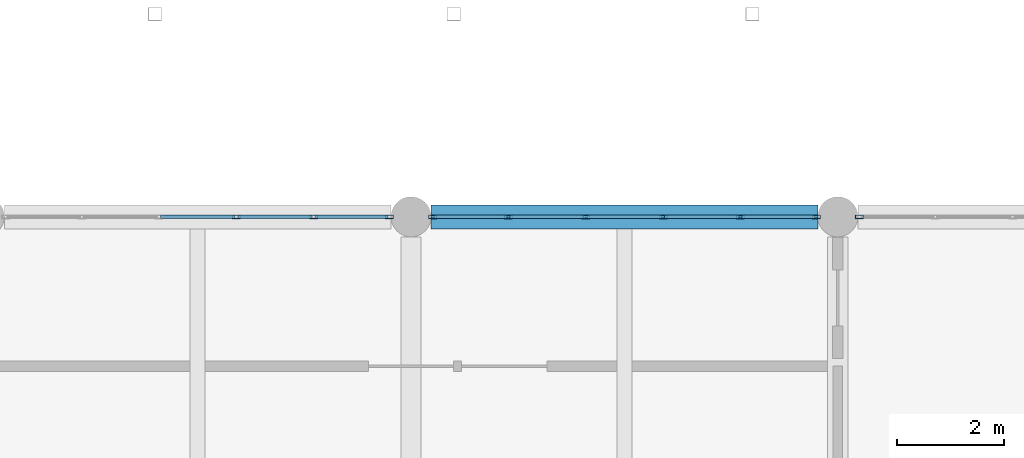
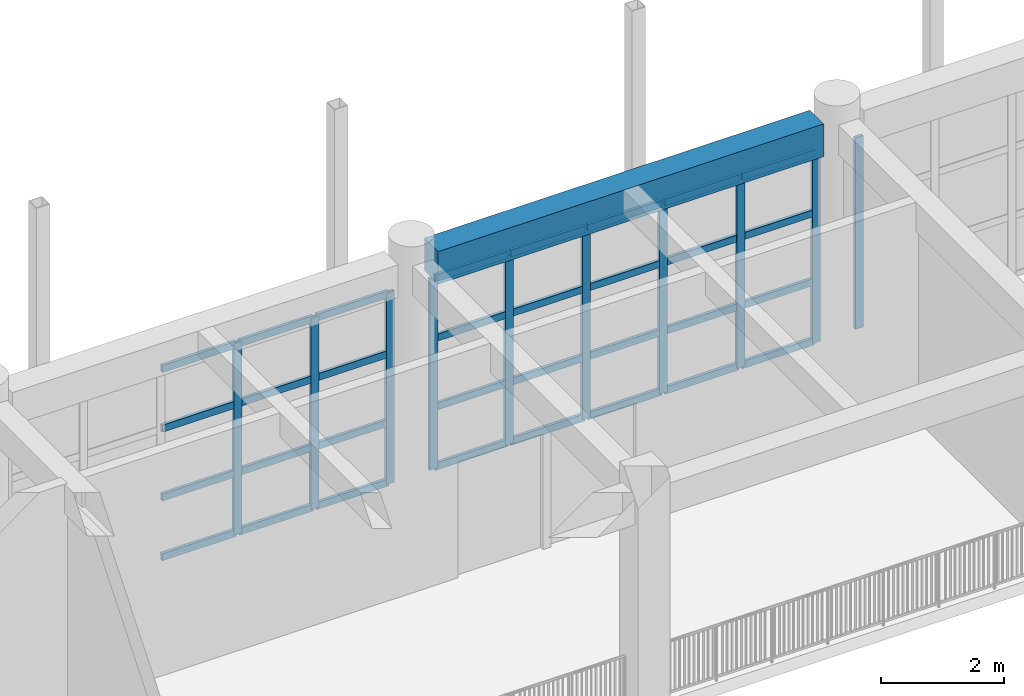
# One storey, part 50 of 101: 42 members, 1 beam, 3 elements without a shape of their own.
"""IFC4 building model written with IfcOpenShell, lengths in metres."""

from ifc_helpers import new_model, si_unit, direction, frame, origin, origin_2d, place, context, subcontext, project, spatial, rectangle, hollow_rectangle, extrude, material, material_profile, profile_set, type_object, element, aggregate, save


model = new_model("IFC4")

# Units and contexts
model_context = context("Model", 3, precision=1e-05, world=origin(), true_north=direction((0.0, 1.0)))
body_context = subcontext(model_context, "Body", "Model", "MODEL_VIEW")
ifc_project = project(units=[si_unit("LENGTHUNIT", "METRE"), si_unit("AREAUNIT", "SQUARE_METRE"), si_unit("VOLUMEUNIT", "CUBIC_METRE"), si_unit("PLANEANGLEUNIT", "RADIAN"), si_unit("MASSUNIT", "GRAM", prefix="KILO")], contexts=[model_context])

# Site, building, storey
site_placement = place(None, origin())
site = spatial("IfcSite", under=ifc_project, at=site_placement, CompositionType="ELEMENT")
building_placement = place(site_placement, origin())
building = spatial("IfcBuilding", under=site, at=building_placement, Name="Zantavel Square City Hall", CompositionType="ELEMENT")
storey_placement = place(building_placement, frame((0.0, 0.0, 5.39990234375)))
storey = spatial("IfcBuildingStorey", under=building, at=storey_placement, Name="L02", CompositionType="ELEMENT", Elevation=5.39990234375)

# Curtain wall, members
ifc_material_1 = material(Name="Anodised aluminium 6063-T6", Category="aluminium")
curtain_wall_type = type_object("IfcCurtainWallType", Name="Curtain Wall CRT 7250x3800", PredefinedType="USERDEFINED", material=ifc_material_1)
curtain_wall_1_placement = place(storey_placement, origin())
curtain_wall_1 = element("IfcCurtainWall", 1, at=curtain_wall_1_placement, inside=storey, type_object=curtain_wall_type, Name="L02 Glazed Curtain Wall CW-L02-052", ObjectType="GLAZED CURTAIN WALL", PredefinedType="USERDEFINED")
ifc_material_profile_1 = material_profile(ifc_material_1, hollow_rectangle(XDim=0.06494140625, YDim=0.14990234375, WallThickness=0.00390625, at=origin_2d()), Name="ALU 65x150x4")
ifc_profile_set_1 = profile_set([ifc_material_profile_1], Name="Anodised aluminium 6063-T6")
member_type_1 = type_object("IfcMemberType", Name="CW Mullion ALU 65x150x4", PredefinedType="MULLION", material=ifc_profile_set_1)
member_1_placement = place(storey_placement, frame((132.72509765625, 38.0, 0.0), z_axis=(0.0, 0.0, 1.0), x_axis=(0.0, 1.0, 0.0)))
member_1 = element("IfcMember", 2, at=member_1_placement, type_object=member_type_1, Name="CW-052 mullion 4", PredefinedType="MULLION", context=body_context, shape_type="SweptSolid", body=[
    extrude(hollow_rectangle(XDim=0.06494140625, YDim=0.14990234375, WallThickness=0.00390625, at=origin_2d()), origin(), (0.0, 0.0, 1.0), 3.800048828125),
])
member_2_placement = place(storey_placement, frame((134.175048828125, 38.0, 0.0), z_axis=(0.0, 0.0, 1.0), x_axis=(0.0, 1.0, 0.0)))
member_2 = element("IfcMember", 3, at=member_2_placement, type_object=member_type_1, Name="CW-052 mullion 5", PredefinedType="MULLION", context=body_context, shape_type="SweptSolid", body=[
    extrude(hollow_rectangle(XDim=0.06494140625, YDim=0.14990234375, WallThickness=0.00390625, at=origin_2d()), origin(), (0.0, 0.0, 1.0), 3.800048828125),
])
member_3_placement = place(storey_placement, frame((135.594970703125, 38.0, 0.0), z_axis=(0.0, 0.0, 1.0), x_axis=(0.0, 1.0, 0.0)))
member_3 = element("IfcMember", 4, at=member_3_placement, type_object=member_type_1, Name="CW-052 mullion 6", PredefinedType="MULLION", context=body_context, shape_type="SweptSolid", body=[
    extrude(hollow_rectangle(XDim=0.06494140625, YDim=0.14990234375, WallThickness=0.00390625, at=origin_2d()), origin(), (0.0, 0.0, 1.0), 3.800048828125),
])

curtain_wall_2_placement = place(storey_placement, origin())
curtain_wall_2 = element("IfcCurtainWall", 5, at=curtain_wall_2_placement, inside=storey, type_object=curtain_wall_type, Name="L02 Glazed Curtain Wall CW-L02-053", ObjectType="GLAZED CURTAIN WALL", PredefinedType="USERDEFINED")
member_4_placement = place(storey_placement, frame((136.405029296875, 38.0, 0.0), z_axis=(0.0, 0.0, 1.0), x_axis=(0.0, 1.0, 0.0)))
member_4 = element("IfcMember", 6, at=member_4_placement, type_object=member_type_1, Name="CW-053 mullion 1", PredefinedType="MULLION", context=body_context, shape_type="SweptSolid", body=[
    extrude(hollow_rectangle(XDim=0.06494140625, YDim=0.14990234375, WallThickness=0.00390625, at=origin_2d()), origin(), (0.0, 0.0, 1.0), 3.800048828125),
])
member_5_placement = place(storey_placement, frame((137.824951171875, 38.0, 0.0), z_axis=(0.0, 0.0, 1.0), x_axis=(0.0, 1.0, 0.0)))
member_5 = element("IfcMember", 7, at=member_5_placement, type_object=member_type_1, Name="CW-053 mullion 2", PredefinedType="MULLION", context=body_context, shape_type="SweptSolid", body=[
    extrude(hollow_rectangle(XDim=0.06494140625, YDim=0.14990234375, WallThickness=0.00390625, at=origin_2d()), origin(), (0.0, 0.0, 1.0), 3.800048828125),
])
member_6_placement = place(storey_placement, frame((139.27490234375, 38.0, 0.0), z_axis=(0.0, 0.0, 1.0), x_axis=(0.0, 1.0, 0.0)))
member_6 = element("IfcMember", 8, at=member_6_placement, type_object=member_type_1, Name="CW-053 mullion 3", PredefinedType="MULLION", context=body_context, shape_type="SweptSolid", body=[
    extrude(hollow_rectangle(XDim=0.06494140625, YDim=0.14990234375, WallThickness=0.00390625, at=origin_2d()), origin(), (0.0, 0.0, 1.0), 3.800048828125),
])
member_7_placement = place(storey_placement, frame((140.72509765625, 38.0, 0.0), z_axis=(0.0, 0.0, 1.0), x_axis=(0.0, 1.0, 0.0)))
member_7 = element("IfcMember", 9, at=member_7_placement, type_object=member_type_1, Name="CW-053 mullion 4", PredefinedType="MULLION", context=body_context, shape_type="SweptSolid", body=[
    extrude(hollow_rectangle(XDim=0.06494140625, YDim=0.14990234375, WallThickness=0.00390625, at=origin_2d()), origin(), (0.0, 0.0, 1.0), 3.800048828125),
])
member_8_placement = place(storey_placement, frame((142.175048828125, 38.0, 0.0), z_axis=(0.0, 0.0, 1.0), x_axis=(0.0, 1.0, 0.0)))
member_8 = element("IfcMember", 10, at=member_8_placement, type_object=member_type_1, Name="CW-053 mullion 5", PredefinedType="MULLION", context=body_context, shape_type="SweptSolid", body=[
    extrude(hollow_rectangle(XDim=0.06494140625, YDim=0.14990234375, WallThickness=0.00390625, at=origin_2d()), origin(), (0.0, 0.0, 1.0), 3.800048828125),
])
member_9_placement = place(storey_placement, frame((143.594970703125, 38.0, 0.0), z_axis=(0.0, 0.0, 1.0), x_axis=(0.0, 1.0, 0.0)))
member_9 = element("IfcMember", 11, at=member_9_placement, type_object=member_type_1, Name="CW-053 mullion 6", PredefinedType="MULLION", context=body_context, shape_type="SweptSolid", body=[
    extrude(hollow_rectangle(XDim=0.06494140625, YDim=0.14990234375, WallThickness=0.00390625, at=origin_2d()), origin(), (0.0, 0.0, 1.0), 3.800048828125),
])

# Curtain wall, member
curtain_wall_3_placement = place(storey_placement, origin())
curtain_wall_3 = element("IfcCurtainWall", 12, at=curtain_wall_3_placement, inside=storey, type_object=curtain_wall_type, Name="L02 Glazed Curtain Wall CW-L02-054", ObjectType="GLAZED CURTAIN WALL", PredefinedType="USERDEFINED")
member_10_placement = place(storey_placement, frame((144.405029296875, 38.0, 0.0), z_axis=(0.0, 0.0, 1.0), x_axis=(0.0, 1.0, 0.0)))
member_10 = element("IfcMember", 13, at=member_10_placement, type_object=member_type_1, Name="CW-054 mullion 1", PredefinedType="MULLION", context=body_context, shape_type="SweptSolid", body=[
    extrude(hollow_rectangle(XDim=0.06494140625, YDim=0.14990234375, WallThickness=0.00390625, at=origin_2d()), origin(), (0.0, 0.0, 1.0), 3.800048828125),
])
aggregate(curtain_wall_3, [member_10])

# Member
ifc_material_profile_2 = material_profile(ifc_material_1, hollow_rectangle(XDim=0.06005859375, YDim=0.139892578125, WallThickness=0.00390625, at=origin_2d()), Name="ALU 60x140x4")
ifc_profile_set_2 = profile_set([ifc_material_profile_2], Name="Anodised aluminium 6063-T6")
member_type_2 = type_object("IfcMemberType", Name="CW Transom ALU 60x140x4", PredefinedType="USERDEFINED", material=ifc_profile_set_2)
member_11_placement = place(storey_placement, frame((131.304931640625, 38.0, 0.030029296875), z_axis=(1.0, 0.0, 0.0), x_axis=(0.0, 1.0, 0.0)))
member_11 = element("IfcMember", 14, at=member_11_placement, type_object=member_type_2, Name="CW-052 transom 3.1", ObjectType="TRANSOM", PredefinedType="USERDEFINED", context=body_context, shape_type="SweptSolid", body=[
    extrude(hollow_rectangle(XDim=0.06005859375, YDim=0.139892578125, WallThickness=0.00390625, at=origin_2d()), origin(), (0.0, 0.0, 1.0), 1.39013671875),
])

member_12_placement = place(storey_placement, frame((131.304931640625, 38.0, 1.216064453125), z_axis=(1.0, 0.0, 0.0), x_axis=(0.0, 1.0, 0.0)))
member_12 = element("IfcMember", 15, at=member_12_placement, type_object=member_type_2, Name="CW-052 transom 3.2", ObjectType="TRANSOM", PredefinedType="USERDEFINED", context=body_context, shape_type="SweptSolid", body=[
    extrude(hollow_rectangle(XDim=0.06005859375, YDim=0.139892578125, WallThickness=0.00390625, at=origin_2d()), origin(), (0.0, 0.0, 1.0), 1.39013671875),
])

member_13_placement = place(storey_placement, frame((131.304931640625, 38.0, 2.583984375), z_axis=(1.0, 0.0, 0.0), x_axis=(0.0, 1.0, 0.0)))
member_13 = element("IfcMember", 16, at=member_13_placement, type_object=member_type_2, Name="CW-052 transom 3.3", ObjectType="TRANSOM", PredefinedType="USERDEFINED", context=body_context, shape_type="SweptSolid", body=[
    extrude(hollow_rectangle(XDim=0.06005859375, YDim=0.139892578125, WallThickness=0.00390625, at=origin_2d()), origin(), (0.0, 0.0, 1.0), 1.39013671875),
])

member_14_placement = place(storey_placement, frame((131.304931640625, 38.0, 3.77001953125), z_axis=(1.0, 0.0, 0.0), x_axis=(0.0, 1.0, 0.0)))
member_14 = element("IfcMember", 17, at=member_14_placement, type_object=member_type_2, Name="CW-052 transom 3.4", ObjectType="TRANSOM", PredefinedType="USERDEFINED", context=body_context, shape_type="SweptSolid", body=[
    extrude(hollow_rectangle(XDim=0.06005859375, YDim=0.139892578125, WallThickness=0.00390625, at=origin_2d()), origin(), (0.0, 0.0, 1.0), 1.39013671875),
])

member_15_placement = place(storey_placement, frame((132.7548828125, 38.0, 0.030029296875), z_axis=(1.0, 0.0, 0.0), x_axis=(0.0, 1.0, 0.0)))
member_15 = element("IfcMember", 18, at=member_15_placement, type_object=member_type_2, Name="CW-052 transom 4.1", ObjectType="TRANSOM", PredefinedType="USERDEFINED", context=body_context, shape_type="SweptSolid", body=[
    extrude(hollow_rectangle(XDim=0.06005859375, YDim=0.139892578125, WallThickness=0.00390625, at=origin_2d()), origin(), (0.0, 0.0, 1.0), 1.39013671875),
])

member_16_placement = place(storey_placement, frame((132.7548828125, 38.0, 1.216064453125), z_axis=(1.0, 0.0, 0.0), x_axis=(0.0, 1.0, 0.0)))
member_16 = element("IfcMember", 19, at=member_16_placement, type_object=member_type_2, Name="CW-052 transom 4.2", ObjectType="TRANSOM", PredefinedType="USERDEFINED", context=body_context, shape_type="SweptSolid", body=[
    extrude(hollow_rectangle(XDim=0.06005859375, YDim=0.139892578125, WallThickness=0.00390625, at=origin_2d()), origin(), (0.0, 0.0, 1.0), 1.39013671875),
])

member_17_placement = place(storey_placement, frame((132.7548828125, 38.0, 2.583984375), z_axis=(1.0, 0.0, 0.0), x_axis=(0.0, 1.0, 0.0)))
member_17 = element("IfcMember", 20, at=member_17_placement, type_object=member_type_2, Name="CW-052 transom 4.3", ObjectType="TRANSOM", PredefinedType="USERDEFINED", context=body_context, shape_type="SweptSolid", body=[
    extrude(hollow_rectangle(XDim=0.06005859375, YDim=0.139892578125, WallThickness=0.00390625, at=origin_2d()), origin(), (0.0, 0.0, 1.0), 1.39013671875),
])

member_18_placement = place(storey_placement, frame((132.7548828125, 38.0, 3.77001953125), z_axis=(1.0, 0.0, 0.0), x_axis=(0.0, 1.0, 0.0)))
member_18 = element("IfcMember", 21, at=member_18_placement, type_object=member_type_2, Name="CW-052 transom 4.4", ObjectType="TRANSOM", PredefinedType="USERDEFINED", context=body_context, shape_type="SweptSolid", body=[
    extrude(hollow_rectangle(XDim=0.06005859375, YDim=0.139892578125, WallThickness=0.00390625, at=origin_2d()), origin(), (0.0, 0.0, 1.0), 1.39013671875),
])

member_19_placement = place(storey_placement, frame((134.205078125, 38.0, 0.030029296875), z_axis=(1.0, 0.0, 0.0), x_axis=(0.0, 1.0, 0.0)))
member_19 = element("IfcMember", 22, at=member_19_placement, type_object=member_type_2, Name="CW-052 transom 5.1", ObjectType="TRANSOM", PredefinedType="USERDEFINED", context=body_context, shape_type="SweptSolid", body=[
    extrude(hollow_rectangle(XDim=0.06005859375, YDim=0.139892578125, WallThickness=0.00390625, at=origin_2d()), origin(), (0.0, 0.0, 1.0), 1.35986328125),
])

member_20_placement = place(storey_placement, frame((134.205078125, 38.0, 1.216064453125), z_axis=(1.0, 0.0, 0.0), x_axis=(0.0, 1.0, 0.0)))
member_20 = element("IfcMember", 23, at=member_20_placement, type_object=member_type_2, Name="CW-052 transom 5.2", ObjectType="TRANSOM", PredefinedType="USERDEFINED", context=body_context, shape_type="SweptSolid", body=[
    extrude(hollow_rectangle(XDim=0.06005859375, YDim=0.139892578125, WallThickness=0.00390625, at=origin_2d()), origin(), (0.0, 0.0, 1.0), 1.35986328125),
])

member_21_placement = place(storey_placement, frame((134.205078125, 38.0, 2.583984375), z_axis=(1.0, 0.0, 0.0), x_axis=(0.0, 1.0, 0.0)))
member_21 = element("IfcMember", 24, at=member_21_placement, type_object=member_type_2, Name="CW-052 transom 5.3", ObjectType="TRANSOM", PredefinedType="USERDEFINED", context=body_context, shape_type="SweptSolid", body=[
    extrude(hollow_rectangle(XDim=0.06005859375, YDim=0.139892578125, WallThickness=0.00390625, at=origin_2d()), origin(), (0.0, 0.0, 1.0), 1.35986328125),
])

member_22_placement = place(storey_placement, frame((134.205078125, 38.0, 3.77001953125), z_axis=(1.0, 0.0, 0.0), x_axis=(0.0, 1.0, 0.0)))
member_22 = element("IfcMember", 25, at=member_22_placement, type_object=member_type_2, Name="CW-052 transom 5.4", ObjectType="TRANSOM", PredefinedType="USERDEFINED", context=body_context, shape_type="SweptSolid", body=[
    extrude(hollow_rectangle(XDim=0.06005859375, YDim=0.139892578125, WallThickness=0.00390625, at=origin_2d()), origin(), (0.0, 0.0, 1.0), 1.35986328125),
])

aggregate(curtain_wall_1, [member_1, member_2, member_3, member_11, member_12, member_13, member_14, member_15, member_16, member_17, member_18, member_19, member_20, member_21, member_22])

member_23_placement = place(storey_placement, frame((136.43505859375, 38.0, 0.030029296875), z_axis=(1.0, 0.0, 0.0), x_axis=(0.0, 1.0, 0.0)))
member_23 = element("IfcMember", 26, at=member_23_placement, type_object=member_type_2, Name="CW-053 transom 1.1", ObjectType="TRANSOM", PredefinedType="USERDEFINED", context=body_context, shape_type="SweptSolid", body=[
    extrude(hollow_rectangle(XDim=0.06005859375, YDim=0.139892578125, WallThickness=0.00390625, at=origin_2d()), origin(), (0.0, 0.0, 1.0), 1.35986328125),
])

member_24_placement = place(storey_placement, frame((136.43505859375, 38.0, 1.216064453125), z_axis=(1.0, 0.0, 0.0), x_axis=(0.0, 1.0, 0.0)))
member_24 = element("IfcMember", 27, at=member_24_placement, type_object=member_type_2, Name="CW-053 transom 1.2", ObjectType="TRANSOM", PredefinedType="USERDEFINED", context=body_context, shape_type="SweptSolid", body=[
    extrude(hollow_rectangle(XDim=0.06005859375, YDim=0.139892578125, WallThickness=0.00390625, at=origin_2d()), origin(), (0.0, 0.0, 1.0), 1.35986328125),
])

member_25_placement = place(storey_placement, frame((136.43505859375, 38.0, 2.583984375), z_axis=(1.0, 0.0, 0.0), x_axis=(0.0, 1.0, 0.0)))
member_25 = element("IfcMember", 28, at=member_25_placement, type_object=member_type_2, Name="CW-053 transom 1.3", ObjectType="TRANSOM", PredefinedType="USERDEFINED", context=body_context, shape_type="SweptSolid", body=[
    extrude(hollow_rectangle(XDim=0.06005859375, YDim=0.139892578125, WallThickness=0.00390625, at=origin_2d()), origin(), (0.0, 0.0, 1.0), 1.35986328125),
])

member_26_placement = place(storey_placement, frame((136.43505859375, 38.0, 3.77001953125), z_axis=(1.0, 0.0, 0.0), x_axis=(0.0, 1.0, 0.0)))
member_26 = element("IfcMember", 29, at=member_26_placement, type_object=member_type_2, Name="CW-053 transom 1.4", ObjectType="TRANSOM", PredefinedType="USERDEFINED", context=body_context, shape_type="SweptSolid", body=[
    extrude(hollow_rectangle(XDim=0.06005859375, YDim=0.139892578125, WallThickness=0.00390625, at=origin_2d()), origin(), (0.0, 0.0, 1.0), 1.35986328125),
])

member_27_placement = place(storey_placement, frame((137.85498046875, 38.0, 0.030029296875), z_axis=(1.0, 0.0, 0.0), x_axis=(0.0, 1.0, 0.0)))
member_27 = element("IfcMember", 30, at=member_27_placement, type_object=member_type_2, Name="CW-053 transom 2.1", ObjectType="TRANSOM", PredefinedType="USERDEFINED", context=body_context, shape_type="SweptSolid", body=[
    extrude(hollow_rectangle(XDim=0.06005859375, YDim=0.139892578125, WallThickness=0.00390625, at=origin_2d()), origin(), (0.0, 0.0, 1.0), 1.39013671875),
])

member_28_placement = place(storey_placement, frame((137.85498046875, 38.0, 1.216064453125), z_axis=(1.0, 0.0, 0.0), x_axis=(0.0, 1.0, 0.0)))
member_28 = element("IfcMember", 31, at=member_28_placement, type_object=member_type_2, Name="CW-053 transom 2.2", ObjectType="TRANSOM", PredefinedType="USERDEFINED", context=body_context, shape_type="SweptSolid", body=[
    extrude(hollow_rectangle(XDim=0.06005859375, YDim=0.139892578125, WallThickness=0.00390625, at=origin_2d()), origin(), (0.0, 0.0, 1.0), 1.39013671875),
])

member_29_placement = place(storey_placement, frame((137.85498046875, 38.0, 2.583984375), z_axis=(1.0, 0.0, 0.0), x_axis=(0.0, 1.0, 0.0)))
member_29 = element("IfcMember", 32, at=member_29_placement, type_object=member_type_2, Name="CW-053 transom 2.3", ObjectType="TRANSOM", PredefinedType="USERDEFINED", context=body_context, shape_type="SweptSolid", body=[
    extrude(hollow_rectangle(XDim=0.06005859375, YDim=0.139892578125, WallThickness=0.00390625, at=origin_2d()), origin(), (0.0, 0.0, 1.0), 1.39013671875),
])

member_30_placement = place(storey_placement, frame((137.85498046875, 38.0, 3.77001953125), z_axis=(1.0, 0.0, 0.0), x_axis=(0.0, 1.0, 0.0)))
member_30 = element("IfcMember", 33, at=member_30_placement, type_object=member_type_2, Name="CW-053 transom 2.4", ObjectType="TRANSOM", PredefinedType="USERDEFINED", context=body_context, shape_type="SweptSolid", body=[
    extrude(hollow_rectangle(XDim=0.06005859375, YDim=0.139892578125, WallThickness=0.00390625, at=origin_2d()), origin(), (0.0, 0.0, 1.0), 1.39013671875),
])

member_31_placement = place(storey_placement, frame((139.304931640625, 38.0, 0.030029296875), z_axis=(1.0, 0.0, 0.0), x_axis=(0.0, 1.0, 0.0)))
member_31 = element("IfcMember", 34, at=member_31_placement, type_object=member_type_2, Name="CW-053 transom 3.1", ObjectType="TRANSOM", PredefinedType="USERDEFINED", context=body_context, shape_type="SweptSolid", body=[
    extrude(hollow_rectangle(XDim=0.06005859375, YDim=0.139892578125, WallThickness=0.00390625, at=origin_2d()), origin(), (0.0, 0.0, 1.0), 1.39013671875),
])

member_32_placement = place(storey_placement, frame((139.304931640625, 38.0, 1.216064453125), z_axis=(1.0, 0.0, 0.0), x_axis=(0.0, 1.0, 0.0)))
member_32 = element("IfcMember", 35, at=member_32_placement, type_object=member_type_2, Name="CW-053 transom 3.2", ObjectType="TRANSOM", PredefinedType="USERDEFINED", context=body_context, shape_type="SweptSolid", body=[
    extrude(hollow_rectangle(XDim=0.06005859375, YDim=0.139892578125, WallThickness=0.00390625, at=origin_2d()), origin(), (0.0, 0.0, 1.0), 1.39013671875),
])

member_33_placement = place(storey_placement, frame((139.304931640625, 38.0, 2.583984375), z_axis=(1.0, 0.0, 0.0), x_axis=(0.0, 1.0, 0.0)))
member_33 = element("IfcMember", 36, at=member_33_placement, type_object=member_type_2, Name="CW-053 transom 3.3", ObjectType="TRANSOM", PredefinedType="USERDEFINED", context=body_context, shape_type="SweptSolid", body=[
    extrude(hollow_rectangle(XDim=0.06005859375, YDim=0.139892578125, WallThickness=0.00390625, at=origin_2d()), origin(), (0.0, 0.0, 1.0), 1.39013671875),
])

member_34_placement = place(storey_placement, frame((139.304931640625, 38.0, 3.77001953125), z_axis=(1.0, 0.0, 0.0), x_axis=(0.0, 1.0, 0.0)))
member_34 = element("IfcMember", 37, at=member_34_placement, type_object=member_type_2, Name="CW-053 transom 3.4", ObjectType="TRANSOM", PredefinedType="USERDEFINED", context=body_context, shape_type="SweptSolid", body=[
    extrude(hollow_rectangle(XDim=0.06005859375, YDim=0.139892578125, WallThickness=0.00390625, at=origin_2d()), origin(), (0.0, 0.0, 1.0), 1.39013671875),
])

member_35_placement = place(storey_placement, frame((140.7548828125, 38.0, 0.030029296875), z_axis=(1.0, 0.0, 0.0), x_axis=(0.0, 1.0, 0.0)))
member_35 = element("IfcMember", 38, at=member_35_placement, type_object=member_type_2, Name="CW-053 transom 4.1", ObjectType="TRANSOM", PredefinedType="USERDEFINED", context=body_context, shape_type="SweptSolid", body=[
    extrude(hollow_rectangle(XDim=0.06005859375, YDim=0.139892578125, WallThickness=0.00390625, at=origin_2d()), origin(), (0.0, 0.0, 1.0), 1.39013671875),
])

member_36_placement = place(storey_placement, frame((140.7548828125, 38.0, 1.216064453125), z_axis=(1.0, 0.0, 0.0), x_axis=(0.0, 1.0, 0.0)))
member_36 = element("IfcMember", 39, at=member_36_placement, type_object=member_type_2, Name="CW-053 transom 4.2", ObjectType="TRANSOM", PredefinedType="USERDEFINED", context=body_context, shape_type="SweptSolid", body=[
    extrude(hollow_rectangle(XDim=0.06005859375, YDim=0.139892578125, WallThickness=0.00390625, at=origin_2d()), origin(), (0.0, 0.0, 1.0), 1.39013671875),
])

member_37_placement = place(storey_placement, frame((140.7548828125, 38.0, 2.583984375), z_axis=(1.0, 0.0, 0.0), x_axis=(0.0, 1.0, 0.0)))
member_37 = element("IfcMember", 40, at=member_37_placement, type_object=member_type_2, Name="CW-053 transom 4.3", ObjectType="TRANSOM", PredefinedType="USERDEFINED", context=body_context, shape_type="SweptSolid", body=[
    extrude(hollow_rectangle(XDim=0.06005859375, YDim=0.139892578125, WallThickness=0.00390625, at=origin_2d()), origin(), (0.0, 0.0, 1.0), 1.39013671875),
])

member_38_placement = place(storey_placement, frame((140.7548828125, 38.0, 3.77001953125), z_axis=(1.0, 0.0, 0.0), x_axis=(0.0, 1.0, 0.0)))
member_38 = element("IfcMember", 41, at=member_38_placement, type_object=member_type_2, Name="CW-053 transom 4.4", ObjectType="TRANSOM", PredefinedType="USERDEFINED", context=body_context, shape_type="SweptSolid", body=[
    extrude(hollow_rectangle(XDim=0.06005859375, YDim=0.139892578125, WallThickness=0.00390625, at=origin_2d()), origin(), (0.0, 0.0, 1.0), 1.39013671875),
])

member_39_placement = place(storey_placement, frame((142.205078125, 38.0, 0.030029296875), z_axis=(1.0, 0.0, 0.0), x_axis=(0.0, 1.0, 0.0)))
member_39 = element("IfcMember", 42, at=member_39_placement, type_object=member_type_2, Name="CW-053 transom 5.1", ObjectType="TRANSOM", PredefinedType="USERDEFINED", context=body_context, shape_type="SweptSolid", body=[
    extrude(hollow_rectangle(XDim=0.06005859375, YDim=0.139892578125, WallThickness=0.00390625, at=origin_2d()), origin(), (0.0, 0.0, 1.0), 1.35986328125),
])

member_40_placement = place(storey_placement, frame((142.205078125, 38.0, 1.216064453125), z_axis=(1.0, 0.0, 0.0), x_axis=(0.0, 1.0, 0.0)))
member_40 = element("IfcMember", 43, at=member_40_placement, type_object=member_type_2, Name="CW-053 transom 5.2", ObjectType="TRANSOM", PredefinedType="USERDEFINED", context=body_context, shape_type="SweptSolid", body=[
    extrude(hollow_rectangle(XDim=0.06005859375, YDim=0.139892578125, WallThickness=0.00390625, at=origin_2d()), origin(), (0.0, 0.0, 1.0), 1.35986328125),
])

member_41_placement = place(storey_placement, frame((142.205078125, 38.0, 2.583984375), z_axis=(1.0, 0.0, 0.0), x_axis=(0.0, 1.0, 0.0)))
member_41 = element("IfcMember", 44, at=member_41_placement, type_object=member_type_2, Name="CW-053 transom 5.3", ObjectType="TRANSOM", PredefinedType="USERDEFINED", context=body_context, shape_type="SweptSolid", body=[
    extrude(hollow_rectangle(XDim=0.06005859375, YDim=0.139892578125, WallThickness=0.00390625, at=origin_2d()), origin(), (0.0, 0.0, 1.0), 1.35986328125),
])

member_42_placement = place(storey_placement, frame((142.205078125, 38.0, 3.77001953125), z_axis=(1.0, 0.0, 0.0), x_axis=(0.0, 1.0, 0.0)))
member_42 = element("IfcMember", 45, at=member_42_placement, type_object=member_type_2, Name="CW-053 transom 5.4", ObjectType="TRANSOM", PredefinedType="USERDEFINED", context=body_context, shape_type="SweptSolid", body=[
    extrude(hollow_rectangle(XDim=0.06005859375, YDim=0.139892578125, WallThickness=0.00390625, at=origin_2d()), origin(), (0.0, 0.0, 1.0), 1.35986328125),
])

aggregate(curtain_wall_2, [member_4, member_5, member_6, member_7, member_8, member_9, member_23, member_24, member_25, member_26, member_27, member_28, member_29, member_30, member_31, member_32, member_33, member_34, member_35, member_36, member_37, member_38, member_39, member_40, member_41, member_42])

# Beam
ifc_material_2 = material(Name="Concrete C35/45", Category="concrete")
ifc_material_profile_3 = material_profile(ifc_material_2, rectangle(XDim=0.449951171875, YDim=0.64990234375, at=origin_2d()), Name="RC 450x650")
ifc_profile_set_3 = profile_set([ifc_material_profile_3], Name="Concrete C35/45")
beam_type = type_object("IfcBeamType", Name="Courtyard Cloister Girder RC 450x650 C35/45", PredefinedType="BEAM", material=ifc_profile_set_3)
beam_placement = place(storey_placement, frame((136.375, 38.0, 4.125), z_axis=(1.0, 0.0, 0.0), x_axis=(0.0, 1.0, 0.0)))
element("IfcBeam", 46, at=beam_placement, inside=storey, type_object=beam_type, Name="L02 Girder BMX-L02-1360-0380", PredefinedType="BEAM", context=body_context, shape_type="SweptSolid", body=[
    extrude(rectangle(XDim=0.449951171875, YDim=0.64990234375, at=origin_2d()), origin(), (0.0, 0.0, 1.0), 7.25),
])

save(model, "model.ifc")
